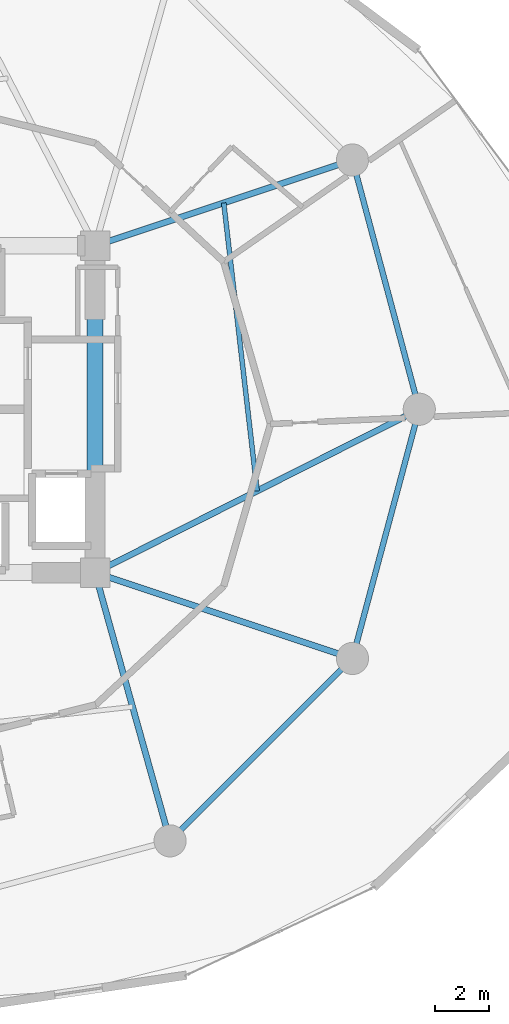
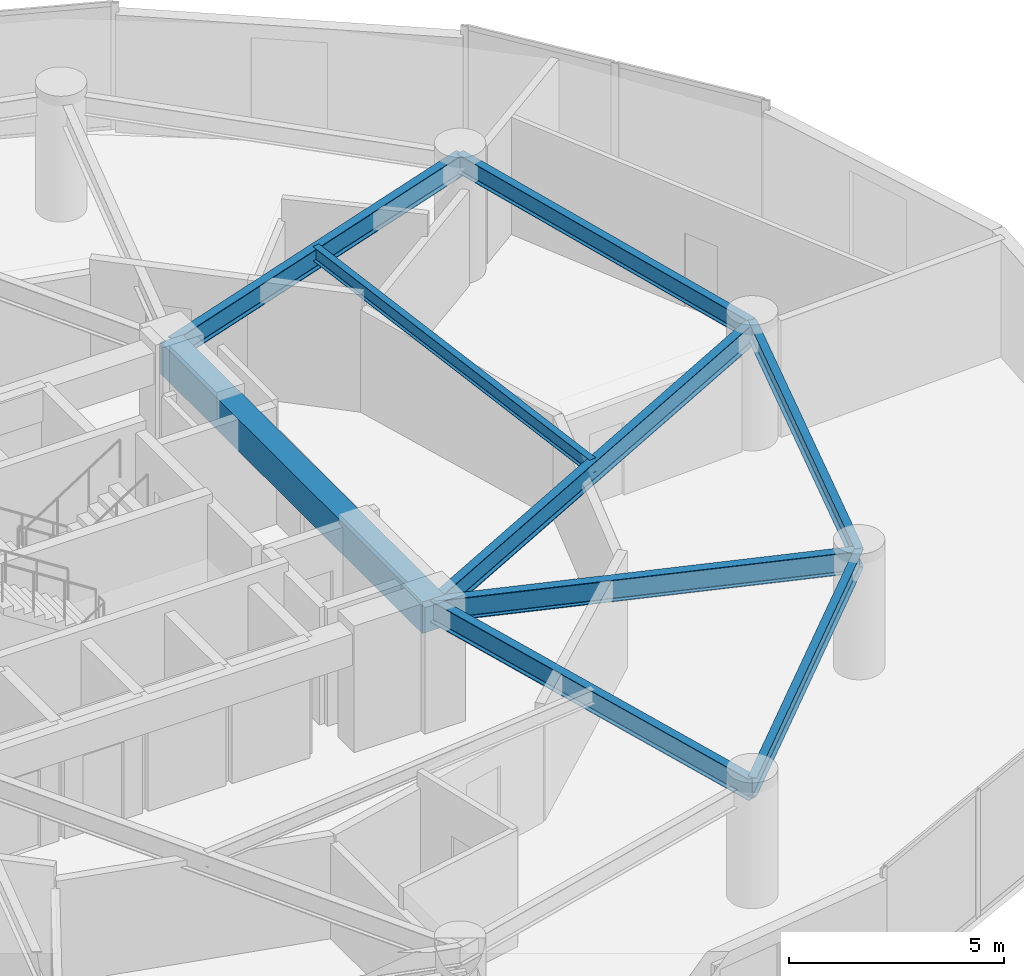
# One storey, part 11 of 25: 9 beams.
"""IFC4 building model written with IfcOpenShell, lengths in metres."""

from ifc_helpers import new_model, si_unit, direction, frame, origin, origin_2d, place, context, subcontext, project, spatial, rectangle, i_section, extrude, material, material_profile, profile_set, type_object, element, save


model = new_model("IFC4")

# Units and contexts
model_context = context("Model", 3, precision=1e-05, world=origin(), true_north=direction((0.0, 1.0)))
body_context = subcontext(model_context, "Body", "Model", "MODEL_VIEW")
ifc_project = project(units=[si_unit("LENGTHUNIT", "METRE"), si_unit("AREAUNIT", "SQUARE_METRE"), si_unit("VOLUMEUNIT", "CUBIC_METRE"), si_unit("PLANEANGLEUNIT", "RADIAN"), si_unit("MASSUNIT", "GRAM", prefix="KILO")], contexts=[model_context])

# Site, building, storey
site_placement = place(None, origin())
site = spatial("IfcSite", under=ifc_project, at=site_placement, CompositionType="ELEMENT")
building_placement = place(site_placement, origin())
building = spatial("IfcBuilding", under=site, at=building_placement, Name="Solvirekh Grand Hotel", CompositionType="ELEMENT")
storey_placement = place(building_placement, frame((0.0, 0.0, 57.199951171875)))
storey = spatial("IfcBuildingStorey", under=building, at=storey_placement, Name="L13", CompositionType="ELEMENT", Elevation=57.199951171875)

# Beams
ifc_material_1 = material(Name="Concrete C50/60", Category="concrete")
ifc_material_profile_1 = material_profile(ifc_material_1, rectangle(XDim=0.60009765625, YDim=0.89990234375, at=origin_2d()), Name="RC BEAM 600X900")
ifc_profile_set_1 = profile_set([ifc_material_profile_1], Name="Concrete C50/60")
beam_type_1 = type_object("IfcBeamType", Name="Beam_Core_RC900", PredefinedType="BEAM", material=ifc_profile_set_1)
beam_1_placement = place(storey_placement, frame((6.5, -6.10009765625, 2.89013671875), z_axis=(0.0, 1.0, 0.0), x_axis=(-1.0, 0.0, 0.0)))
element("IfcBeam", 1, at=beam_1_placement, inside=storey, type_object=beam_type_1, Name="L13 core coupling ring beam 2", PredefinedType="BEAM", context=body_context, shape_type="SweptSolid", body=[
    extrude(rectangle(XDim=0.60009765625, YDim=0.89990234375, at=origin_2d()), origin(), (0.0, 0.0, 1.0), 12.2001953125),
])
ifc_material_2 = material(Name="Steel S355", Category="steel")
ifc_material_profile_2 = material_profile(ifc_material_2, i_section(OverallWidth=0.22802734375, OverallDepth=0.616943359375, WebThickness=0.012939453125, FlangeThickness=0.02001953125, FilletRadius=0.014892578125, at=origin_2d()), Name="W610X140")
ifc_profile_set_2 = profile_set([ifc_material_profile_2], Name="Steel S355")
beam_type_2 = type_object("IfcBeamType", Name="Beam_Radial_W610", PredefinedType="BEAM", material=ifc_profile_set_2)
beam_2_placement = place(storey_placement, frame((6.5, -6.10009765625, 3.031005859375), z_axis=(0.892944939011, 0.450165898191, 0.0), x_axis=(-0.450165898191, 0.892944939011, 0.0)))
element("IfcBeam", 2, at=beam_2_placement, inside=storey, type_object=beam_type_2, Name="L13 radial floor beam R01", PredefinedType="BEAM", context=body_context, shape_type="SweptSolid", body=[
    extrude(i_section(OverallWidth=0.22802734375, OverallDepth=0.616943359375, WebThickness=0.012939453125, FlangeThickness=0.02001953125, FilletRadius=0.014892578125, at=origin_2d()), origin(), (0.0, 0.0, 1.0), 13.55078125),
])
beam_3_placement = place(storey_placement, frame((6.5, 6.10009765625, 3.031005859375), z_axis=(0.948762825819, 0.315989082635, 0.0), x_axis=(-0.315989082635, 0.948762825819, 0.0)))
element("IfcBeam", 3, at=beam_3_placement, inside=storey, type_object=beam_type_2, Name="L13 radial floor beam R02", PredefinedType="BEAM", context=body_context, shape_type="SweptSolid", body=[
    extrude(i_section(OverallWidth=0.22802734375, OverallDepth=0.616943359375, WebThickness=0.012939453125, FlangeThickness=0.02001953125, FilletRadius=0.014892578125, at=origin_2d()), origin(), (0.0, 0.0, 1.0), 10.126708984375),
])
beam_4_placement = place(storey_placement, frame((6.5, -6.10009765625, 3.031005859375), z_axis=(0.269439084681, -0.963017434757, 0.0), x_axis=(0.963017434757, 0.269439084681, 0.0)))
element("IfcBeam", 4, at=beam_4_placement, inside=storey, type_object=beam_type_2, Name="L13 radial floor beam R11", PredefinedType="BEAM", context=body_context, shape_type="SweptSolid", body=[
    extrude(i_section(OverallWidth=0.22802734375, OverallDepth=0.616943359375, WebThickness=0.012939453125, FlangeThickness=0.02001953125, FilletRadius=0.014892578125, at=origin_2d()), origin(), (0.0, 0.0, 1.0), 10.39208984375),
])
beam_5_placement = place(storey_placement, frame((6.5, -6.10009765625, 3.031005859375), z_axis=(0.948762825819, -0.315989082635, 0.0), x_axis=(0.315989082635, 0.948762825819, 0.0)))
element("IfcBeam", 5, at=beam_5_placement, inside=storey, type_object=beam_type_2, Name="L13 radial floor beam R12", PredefinedType="BEAM", context=body_context, shape_type="SweptSolid", body=[
    extrude(i_section(OverallWidth=0.22802734375, OverallDepth=0.616943359375, WebThickness=0.012939453125, FlangeThickness=0.02001953125, FilletRadius=0.014892578125, at=origin_2d()), origin(), (0.0, 0.0, 1.0), 10.126708984375),
])
ifc_material_profile_3 = material_profile(ifc_material_2, i_section(OverallWidth=0.177978515625, OverallDepth=0.406982421875, WebThickness=0.008056640625, FlangeThickness=0.011962890625, FilletRadius=0.011962890625, at=origin_2d()), Name="W410X60")
ifc_profile_set_3 = profile_set([ifc_material_profile_3], Name="Steel S355")
beam_type_3 = type_object("IfcBeamType", Name="Joist_Floor_W410", PredefinedType="JOIST", material=ifc_profile_set_3)
beam_6_placement = place(storey_placement, frame((12.550048828125, -3.050048828125, 3.136962890625), z_axis=(-0.115144710849, 0.993348728073, 0.0), x_axis=(-0.993348728073, -0.115144710849, 0.0)))
element("IfcBeam", 6, at=beam_6_placement, inside=storey, type_object=beam_type_3, Name="L13 secondary composite floor joist 1", PredefinedType="JOIST", context=body_context, shape_type="SweptSolid", body=[
    extrude(i_section(OverallWidth=0.177978515625, OverallDepth=0.406982421875, WebThickness=0.008056640625, FlangeThickness=0.011962890625, FilletRadius=0.011962890625, at=origin_2d()), origin(), (0.0, 0.0, 1.0), 10.822021484375),
])
ifc_material_profile_4 = material_profile(ifc_material_2, i_section(OverallWidth=0.208984375, OverallDepth=0.532958984375, WebThickness=0.010009765625, FlangeThickness=0.014892578125, FilletRadius=0.013916015625, at=origin_2d()), Name="W530X92")
ifc_profile_set_4 = profile_set([ifc_material_profile_4], Name="Steel S355")
beam_type_4 = type_object("IfcBeamType", Name="Spandrel_Ring_W530", PredefinedType="SPANDREL", material=ifc_profile_set_4)
beam_7_placement = place(storey_placement, frame((18.60009765625, 0.0, 3.072998046875), z_axis=(-0.258842973314, 0.965919414426, 0.0), x_axis=(-0.965919414426, -0.258842973314, 0.0)))
element("IfcBeam", 7, at=beam_7_placement, inside=storey, type_object=beam_type_4, Name="L13 perimeter spandrel beam 1", PredefinedType="SPANDREL", context=body_context, shape_type="SweptSolid", body=[
    extrude(i_section(OverallWidth=0.208984375, OverallDepth=0.532958984375, WebThickness=0.010009765625, FlangeThickness=0.014892578125, FilletRadius=0.013916015625, at=origin_2d()), origin(), (0.0, 0.0, 1.0), 9.628173828125),
])
beam_8_placement = place(storey_placement, frame((9.300048828125, -16.10791015625, 3.072998046875), z_axis=(0.707106781187, 0.707106781187, 0.0), x_axis=(-0.707106781187, 0.707106781187, 0.0)))
element("IfcBeam", 8, at=beam_8_placement, inside=storey, type_object=beam_type_4, Name="L13 perimeter spandrel beam 11", PredefinedType="SPANDREL", context=body_context, shape_type="SweptSolid", body=[
    extrude(i_section(OverallWidth=0.208984375, OverallDepth=0.532958984375, WebThickness=0.010009765625, FlangeThickness=0.014892578125, FilletRadius=0.013916015625, at=origin_2d()), origin(), (0.0, 0.0, 1.0), 9.627685546875),
])
beam_9_placement = place(storey_placement, frame((16.10791015625, -9.300048828125, 3.072998046875), z_axis=(0.258842973314, 0.965919414426, 0.0), x_axis=(-0.965919414426, 0.258842973314, 0.0)))
element("IfcBeam", 9, at=beam_9_placement, inside=storey, type_object=beam_type_4, Name="L13 perimeter spandrel beam 12", PredefinedType="SPANDREL", context=body_context, shape_type="SweptSolid", body=[
    extrude(i_section(OverallWidth=0.208984375, OverallDepth=0.532958984375, WebThickness=0.010009765625, FlangeThickness=0.014892578125, FilletRadius=0.013916015625, at=origin_2d()), origin(), (0.0, 0.0, 1.0), 9.628173828125),
])

save(model, "model.ifc")
